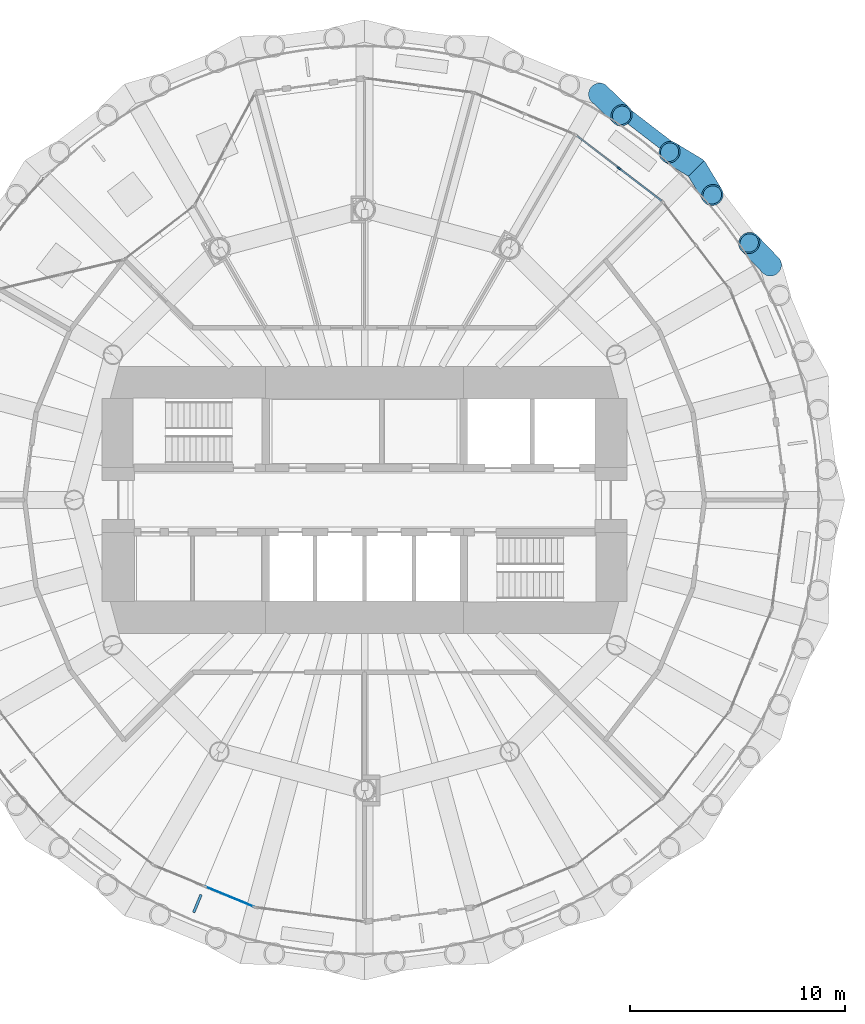
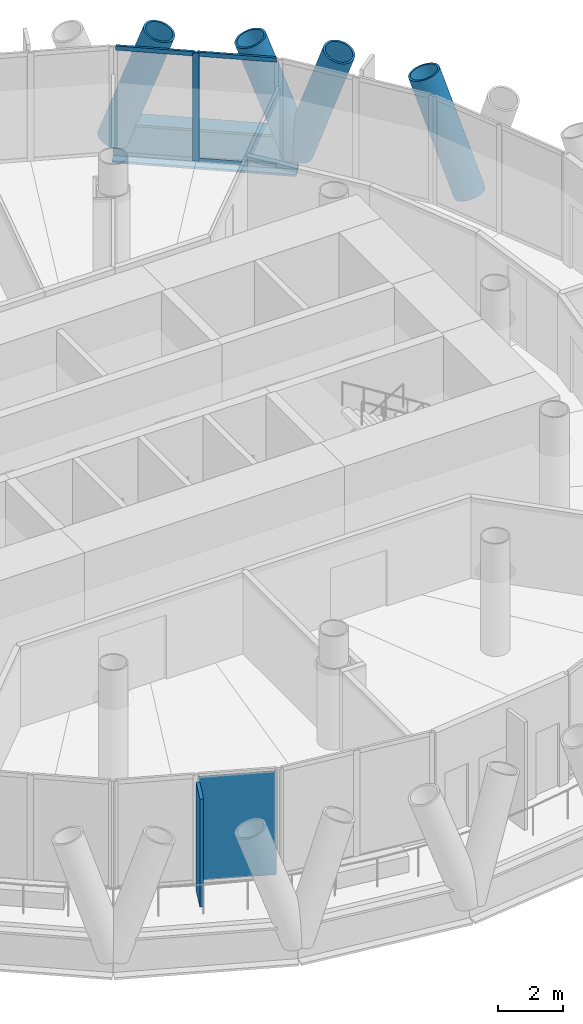
# One storey, part 6 of 14: 8 members, 2 plates, 1 beam, 2 elements without a shape of their own.
"""IFC4 building model written with IfcOpenShell, lengths in metres."""

from ifc_helpers import new_model, si_unit, direction, frame, origin, origin_2d, place, context, subcontext, project, spatial, rectangle, hollow_circle, i_section, extrude, material, layer, layer_set, material_profile, profile_set, type_object, element, aggregate, save


model = new_model("IFC4")

# Units and contexts
model_context = context("Model", 3, precision=1e-05, world=origin(), true_north=direction((0.0, 1.0)))
body_context = subcontext(model_context, "Body", "Model", "MODEL_VIEW")
ifc_project = project(units=[si_unit("LENGTHUNIT", "METRE"), si_unit("AREAUNIT", "SQUARE_METRE"), si_unit("VOLUMEUNIT", "CUBIC_METRE"), si_unit("PLANEANGLEUNIT", "RADIAN"), si_unit("MASSUNIT", "GRAM", prefix="KILO")], contexts=[model_context])

# Site, building, storey
site_placement = place(None, origin())
site = spatial("IfcSite", under=ifc_project, at=site_placement, CompositionType="ELEMENT")
building_placement = place(site_placement, origin())
building = spatial("IfcBuilding", under=site, at=building_placement, Name="Qaws Media Tower", CompositionType="ELEMENT")
storey_placement = place(building_placement, frame((0.0, 0.0, 261.199951171875)))
storey = spatial("IfcBuildingStorey", under=building, at=storey_placement, Name="L60", CompositionType="ELEMENT", Elevation=261.199951171875)

# Curtain wall, members
ifc_material_1 = material(Name="Aluminium and clear glass", Category="aluminium")
curtain_wall_type = type_object("IfcCurtainWallType", Name="Unitised curtain wall CW-D", PredefinedType="NOTDEFINED", material=ifc_material_1)
curtain_wall_1_placement = place(storey_placement, origin())
curtain_wall_1 = element("IfcCurtainWall", 1, at=curtain_wall_1_placement, inside=storey, type_object=curtain_wall_type, Name="CWD curtain wall L60-04", PredefinedType="NOTDEFINED")
ifc_material_2 = material(Name="Aluminium mullion", Category="aluminium")
ifc_material_profile_1 = material_profile(ifc_material_2, rectangle(XDim=0.080078125, YDim=0.199951171875, at=origin_2d()), Name="80x200")
ifc_profile_set_1 = profile_set([ifc_material_profile_1], Name="Aluminium mullion")
member_type_1 = type_object("IfcMemberType", Name="Curtain wall mullion 80x200", PredefinedType="MULLION", material=ifc_profile_set_1)
member_1_placement = place(storey_placement, frame((71.82958984375, 65.416748046875, 0.0), z_axis=(0.0, 0.0, 1.0), x_axis=(-0.608761420271, -0.793353346996, 0.0)))
member_1 = element("IfcMember", 2, at=member_1_placement, type_object=member_type_1, Name="CWD mullion 2", PredefinedType="MULLION", context=body_context, shape_type="SweptSolid", body=[
    extrude(rectangle(XDim=0.080078125, YDim=0.199951171875, at=origin_2d()), origin(), (0.0, 0.0, 1.0), 4.0400390625),
])
ifc_material_3 = material(Name="Aluminium transom", Category="aluminium")
ifc_material_profile_2 = material_profile(ifc_material_3, rectangle(XDim=0.080078125, YDim=0.159912109375, at=origin_2d()), Name="80x160")
ifc_profile_set_2 = profile_set([ifc_material_profile_2], Name="Aluminium transom")
member_type_2 = type_object("IfcMemberType", Name="Curtain wall transom 80x160", PredefinedType="USERDEFINED", material=ifc_profile_set_2)
member_2_placement = place(storey_placement, frame((73.7958984375, 63.907958984375, 0.0400390625), z_axis=(-0.793367800846, 0.608742583183, 0.0), x_axis=(-0.608742583183, -0.793367800846, 0.0)))
member_2 = element("IfcMember", 3, at=member_2_placement, type_object=member_type_2, Name="CWD transom 1.1", ObjectType="TRANSOM", PredefinedType="USERDEFINED", context=body_context, shape_type="SweptSolid", body=[
    extrude(rectangle(XDim=0.080078125, YDim=0.159912109375, at=origin_2d()), origin(), (0.0, 0.0, 1.0), 2.4384765625),
])
member_3_placement = place(storey_placement, frame((73.7958984375, 63.907958984375, 4.0), z_axis=(-0.793367800846, 0.608742583183, 0.0), x_axis=(-0.608742583183, -0.793367800846, 0.0)))
member_3 = element("IfcMember", 4, at=member_3_placement, type_object=member_type_2, Name="CWD transom 1.2", ObjectType="TRANSOM", PredefinedType="USERDEFINED", context=body_context, shape_type="SweptSolid", body=[
    extrude(rectangle(XDim=0.080078125, YDim=0.159912109375, at=origin_2d()), origin(), (0.0, 0.0, 1.0), 2.4384765625),
])
member_4_placement = place(storey_placement, frame((71.7978515625, 65.441162109375, 4.0), z_axis=(-0.79337905494, 0.60872791556, 0.0), x_axis=(-0.60872791556, -0.79337905494, 0.0)))
member_4 = element("IfcMember", 5, at=member_4_placement, type_object=member_type_2, Name="CWD transom 2.2", ObjectType="TRANSOM", PredefinedType="USERDEFINED", context=body_context, shape_type="SweptSolid", body=[
    extrude(rectangle(XDim=0.080078125, YDim=0.159912109375, at=origin_2d()), origin(), (0.0, 0.0, 1.0), 2.43798828125),
])
aggregate(curtain_wall_1, [member_1, member_2, member_3, member_4])

# Members
ifc_material_4 = material(Name="Steel S460", Category="steel")
ifc_material_profile_3 = material_profile(ifc_material_4, hollow_circle(Radius=0.508056640625, WallThickness=0.070068359375, at=origin_2d()), Name="CHS 1016x70")
ifc_profile_set_3 = profile_set([ifc_material_profile_3], Name="Steel S460")
member_type_3 = type_object("IfcMemberType", Name="Diagrid member CHS 1016x70", PredefinedType="USERDEFINED", material=ifc_profile_set_3)
for number, where, z_axis, x_axis, name in (
    (6, (78.87939453125, 60.89990234375, -0.909912109375), (-0.225697140124, 0.235204226864, 0.945378110919), (-0.721538902884, -0.692373895828, 0.0), "DG3 diagrid L60 A03"),
    (7, (75.4150390625, 65.4150390625, -0.909912109375), (-0.278895104553, 0.168710930242, 0.945385711058), (-0.517591597438, -0.855627803582, 0.0), "DG3 diagrid L60 A04"),
    (8, (75.4150390625, 65.4150390625, -0.909912109375), (0.168710930242, -0.278895104553, 0.945385711058), (0.855627803582, 0.517591597438, 0.0), "DG3 diagrid L60 B04"),
    (9, (70.89990234375, 68.87939453125, -0.909912109375), (0.235204226864, -0.225697140124, 0.945378110919), (0.692373895828, 0.721538902884, 0.0), "DG3 diagrid L60 B05"),
):
    element("IfcMember", number, at=place(storey_placement, frame(where, z_axis=z_axis, x_axis=x_axis)), inside=storey, type_object=member_type_3, Name=name, ObjectType="DIAGRID", PredefinedType="USERDEFINED", context=body_context, shape_type="SweptSolid", body=[
        extrude(hollow_circle(Radius=0.508056640625, WallThickness=0.070068359375, at=origin_2d()), origin(), (0.0, 0.0, 1.0), 4.442626953125),
    ])

# Beam
ifc_material_5 = material(Name="Steel S460", Category="steel")
ifc_material_profile_4 = material_profile(ifc_material_5, i_section(OverallWidth=0.60009765625, OverallDepth=1.5, WebThickness=0.030029296875, FlangeThickness=0.080078125, at=origin_2d()), Name="PG 1500x600")
ifc_profile_set_4 = profile_set([ifc_material_profile_4], Name="Steel S460")
beam_type = type_object("IfcBeamType", Name="Edge ring beam PG 1500x600", PredefinedType="BEAM", material=ifc_profile_set_4)
beam_placement = place(storey_placement, frame((75.4150390625, 65.4150390625, -0.909912109375), z_axis=(-0.793372925494, 0.608735904226, 0.0), x_axis=(-0.608735904226, -0.793372925494, 0.0)))
element("IfcBeam", 10, at=beam_placement, inside=storey, type_object=beam_type, Name="RB5 edge ring beam L60-04", PredefinedType="BEAM", context=body_context, shape_type="SweptSolid", body=[
    extrude(i_section(OverallWidth=0.60009765625, OverallDepth=1.5, WebThickness=0.030029296875, FlangeThickness=0.080078125, at=origin_2d()), origin(), (0.0, 0.0, 1.0), 5.691162109375),
])

# Curtain wall, plate
curtain_wall_2_placement = place(storey_placement, origin())
curtain_wall_2 = element("IfcCurtainWall", 11, at=curtain_wall_2_placement, inside=storey, type_object=curtain_wall_type, Name="CWD curtain wall L60-17", PredefinedType="NOTDEFINED")
ifc_material_6 = material(Name="Clear laminated double glazing", Category="glass")
ifc_layer_1 = layer(ifc_material_6, 0.031982421875)
ifc_layer_set_1 = layer_set([ifc_layer_1], Name="Curtain wall glass unit 32")
plate_type_1 = type_object("IfcPlateType", Name="Curtain wall glass unit 32", PredefinedType="CURTAIN_PANEL", material=ifc_layer_set_1)
plate_1_placement = place(storey_placement, frame((53.726806640625, 31.56494140625, 0.080078125), z_axis=(0.0, 0.0, 1.0), x_axis=(0.923879560063, -0.382683365851, 0.0)))
plate_1 = element("IfcPlate", 12, at=plate_1_placement, type_object=plate_type_1, Name="CWD panel 2.1", PredefinedType="CURTAIN_PANEL", context=body_context, shape_type="SweptSolid", body=[
    extrude(rectangle(XDim=2.438232421875, YDim=0.031982421875, at=origin_2d()), origin(), (0.0, 0.0, 1.0), 3.8798828125),
])
aggregate(curtain_wall_2, [plate_1])

# Plate
ifc_material_7 = material(Name="Precast concrete screen fin", Category="concrete")
ifc_layer_2 = layer(ifc_material_7, 0.1201171875)
ifc_layer_set_2 = layer_set([ifc_layer_2], Name="Screen fin 120x900")
plate_type_2 = type_object("IfcPlateType", Name="Screen fin 120x900", PredefinedType="USERDEFINED", material=ifc_layer_set_2)
plate_2_placement = place(storey_placement, frame((52.2314453125, 31.245361328125, 0.0), z_axis=(0.0, 0.0, 1.0), x_axis=(-0.382683432365, -0.923879532511, 0.0)))
element("IfcPlate", 13, at=plate_2_placement, inside=storey, type_object=plate_type_2, Name="SCR1 screen fin L60-09", ObjectType="SCREEN", PredefinedType="USERDEFINED", context=body_context, shape_type="SweptSolid", body=[
    extrude(rectangle(XDim=0.89990234375, YDim=0.1201171875, at=origin_2d()), origin(), (0.0, 0.0, 1.0), 4.0400390625),
])

save(model, "model.ifc")
